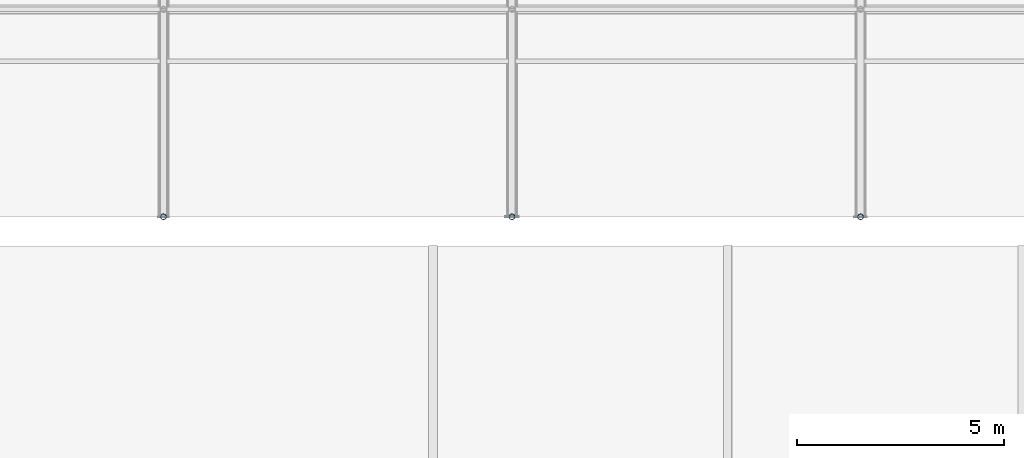
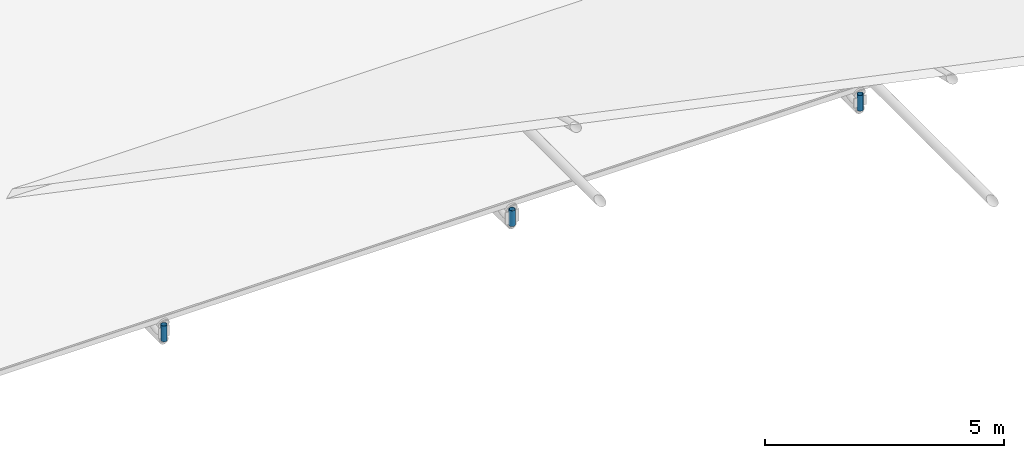
# One storey, part 141 of 194: 3 members.
"""IFC4 building model written with IfcOpenShell, lengths in metres."""

from ifc_helpers import new_model, si_unit, direction, frame, origin, origin_2d, place, context, subcontext, project, spatial, hollow_circle, extrude, material, material_profile, profile_set, type_object, element, save


model = new_model("IFC4")

# Units and contexts
model_context = context("Model", 3, precision=1e-05, world=origin(), true_north=direction((0.0, 1.0)))
body_context = subcontext(model_context, "Body", "Model", "MODEL_VIEW")
ifc_project = project(units=[si_unit("LENGTHUNIT", "METRE"), si_unit("AREAUNIT", "SQUARE_METRE"), si_unit("VOLUMEUNIT", "CUBIC_METRE"), si_unit("PLANEANGLEUNIT", "RADIAN"), si_unit("MASSUNIT", "GRAM", prefix="KILO")], contexts=[model_context])

# Site, building, storey
site_placement = place(None, origin())
site = spatial("IfcSite", under=ifc_project, at=site_placement, CompositionType="ELEMENT")
building_placement = place(site_placement, origin())
building = spatial("IfcBuilding", under=site, at=building_placement, Name="Kazenagashi Tramway Depot", CompositionType="ELEMENT")
storey_placement = place(building_placement, frame((0.0, 0.0, 23.7)))
storey = spatial("IfcBuildingStorey", under=building, at=storey_placement, Name="ROOF", CompositionType="ELEMENT", Elevation=23.7)

# Members
ifc_material = material(Name="Steel STK490", Category="steel")
ifc_material_profile = material_profile(ifc_material, hollow_circle(Radius=0.0699, WallThickness=0.0066, at=origin_2d()), Name="CHS-139.8x6.6")
ifc_profile_set = profile_set([ifc_material_profile], Name="Steel STK490")
member_type = type_object("IfcMemberType", Name="TS-02", PredefinedType="STRUT", material=ifc_profile_set)
for number, where, z_axis, x_axis, name in (
    (1, (154.0, 70.0, -14.1), (0.0, 0.0, 1.0), (1.0, 0.0, 0.0), "Tubular Space Frame TS-02 MEM-0812"),
    (2, (162.4, 70.0, -14.1), (0.0, 0.0, 1.0), (1.0, 0.0, 0.0), "Tubular Space Frame TS-02 MEM-0873"),
    (3, (170.8, 70.0, -14.1), (0.0, 0.0, 1.0), (1.0, 0.0, 0.0), "Tubular Space Frame TS-02 MEM-0934"),
):
    element("IfcMember", number, at=place(storey_placement, frame(where, z_axis=z_axis, x_axis=x_axis)), inside=storey, type_object=member_type, Name=name, PredefinedType="STRUT", context=body_context, shape_type="SweptSolid", body=[
        extrude(hollow_circle(Radius=0.0699, WallThickness=0.0066, at=origin_2d()), origin(), (0.0, 0.0, 1.0), 0.4),
    ])

save(model, "model.ifc")
